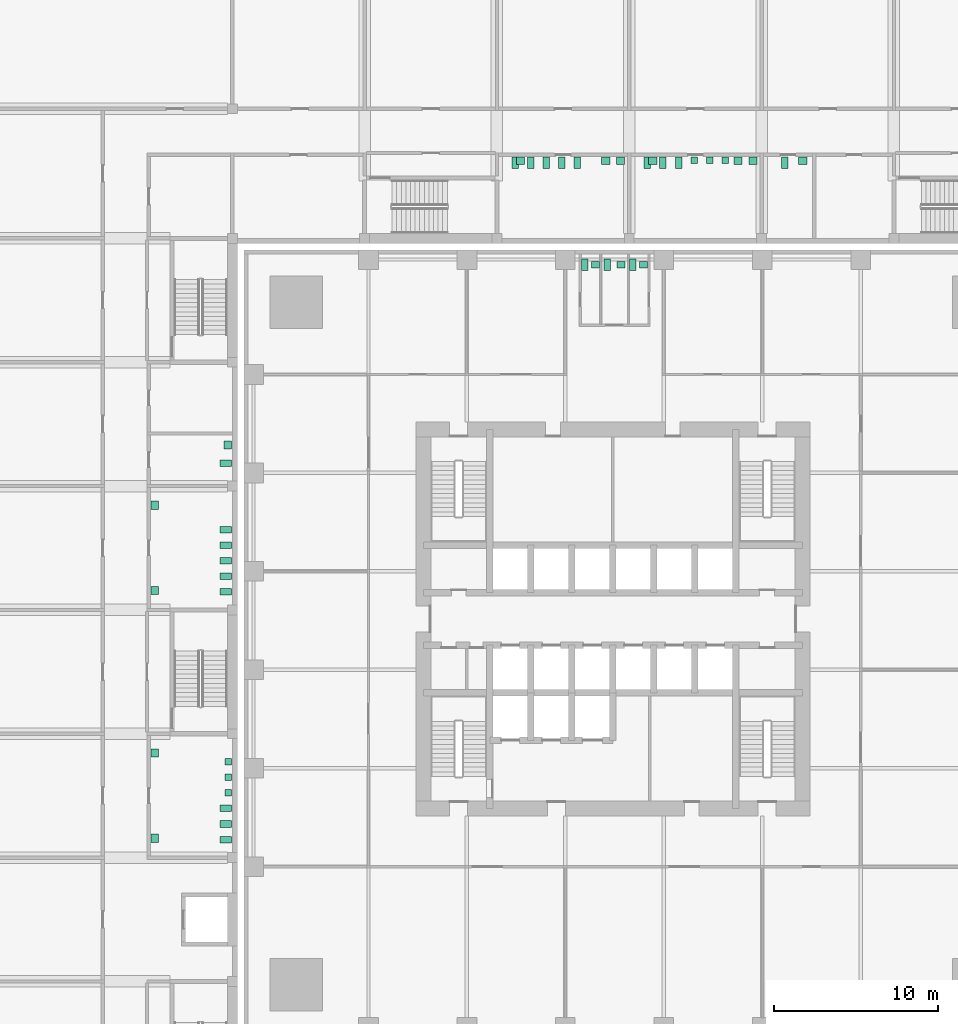
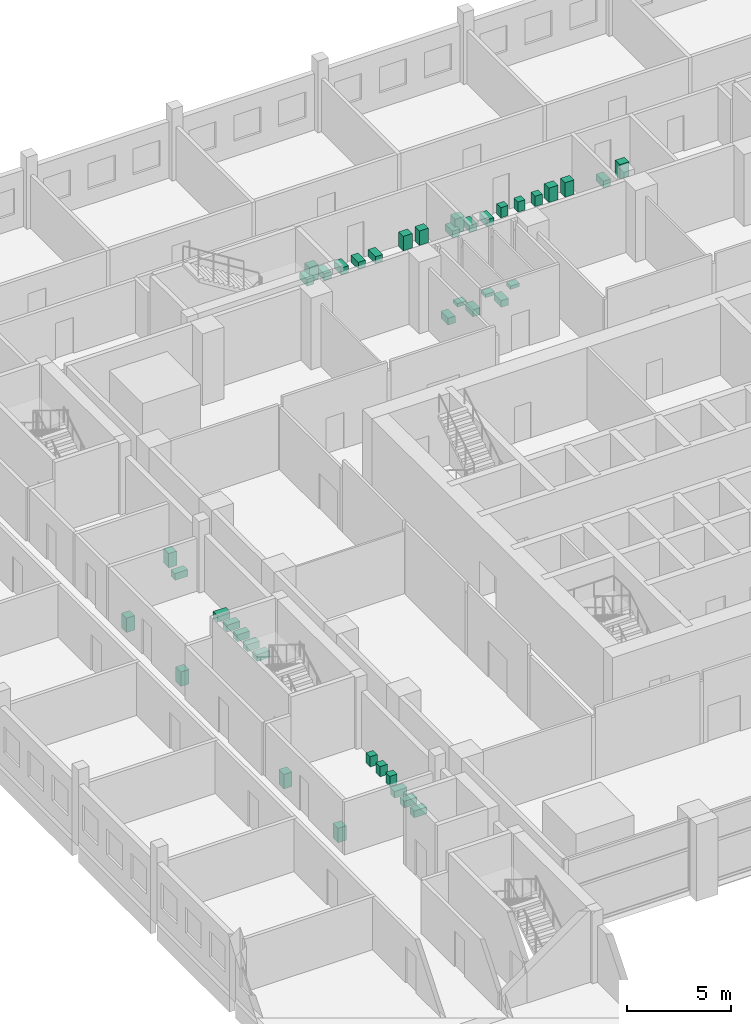
# One storey, part 25 of 25: 42 sanitary terminals.
"""IFC4 building model written with IfcOpenShell, lengths in metres."""

from ifc_helpers import new_model, si_unit, direction, frame, origin, origin_2d, place, context, subcontext, project, spatial, rectangle, extrude, element, save


model = new_model("IFC4")

# Units and contexts
model_context = context("Model", 3, precision=1e-05, world=origin(), true_north=direction((0.0, 1.0)))
body_context = subcontext(model_context, "Body", "Model", "MODEL_VIEW")
ifc_project = project(units=[si_unit("LENGTHUNIT", "METRE"), si_unit("AREAUNIT", "SQUARE_METRE"), si_unit("VOLUMEUNIT", "CUBIC_METRE"), si_unit("PLANEANGLEUNIT", "RADIAN"), si_unit("MASSUNIT", "GRAM", prefix="KILO")], contexts=[model_context])

# Site, building, storey
site_placement = place(None, origin())
site = spatial("IfcSite", under=ifc_project, at=site_placement, CompositionType="ELEMENT")
building_placement = place(site_placement, origin())
building = spatial("IfcBuilding", under=site, at=building_placement, Name="Amberfall Residences", CompositionType="ELEMENT")
storey_placement = place(building_placement, frame((0.0, 0.0, 10.0)))
storey = spatial("IfcBuildingStorey", under=building, at=storey_placement, Name="L02", CompositionType="ELEMENT", Elevation=10.0)

# Sanitary terminals
sanitary_terminal_1_placement = place(storey_placement, frame((72.780029296875, 67.10009765625, 0.0), z_axis=(0.0, 0.0, 1.0), x_axis=(1.0, 0.0, 0.0)))
element("IfcSanitaryTerminal", 1, at=sanitary_terminal_1_placement, inside=storey, Name="WC pan Gents WC L02", PredefinedType="TOILETPAN", context=body_context, shape_type="SweptSolid", body=[
    extrude(rectangle(XDim=0.39990234375, YDim=0.699951171875, at=origin_2d()), origin(), (0.0, 0.0, 1.0), 0.39990234375),
])
sanitary_terminal_2_placement = place(storey_placement, frame((73.429931640625, 67.10009765625, 0.75), z_axis=(0.0, 0.0, 1.0), x_axis=(1.0, 0.0, 0.0)))
element("IfcSanitaryTerminal", 2, at=sanitary_terminal_2_placement, inside=storey, Name="Wash basin Gents WC L02", PredefinedType="WASHHANDBASIN", context=body_context, shape_type="SweptSolid", body=[
    extrude(rectangle(XDim=0.5, YDim=0.39990234375, at=origin_2d()), origin(), (0.0, 0.0, 1.0), 0.199951171875),
])
sanitary_terminal_3_placement = place(storey_placement, frame((74.14501953125, 67.10009765625, 0.0), z_axis=(0.0, 0.0, 1.0), x_axis=(1.0, 0.0, 0.0)))
element("IfcSanitaryTerminal", 3, at=sanitary_terminal_3_placement, inside=storey, Name="WC pan Accessible WC L02", PredefinedType="TOILETPAN", context=body_context, shape_type="SweptSolid", body=[
    extrude(rectangle(XDim=0.39990234375, YDim=0.699951171875, at=origin_2d()), origin(), (0.0, 0.0, 1.0), 0.39990234375),
])
sanitary_terminal_4_placement = place(storey_placement, frame((74.989990234375, 67.10009765625, 0.75), z_axis=(0.0, 0.0, 1.0), x_axis=(1.0, 0.0, 0.0)))
element("IfcSanitaryTerminal", 4, at=sanitary_terminal_4_placement, inside=storey, Name="Wash basin Accessible WC L02", PredefinedType="WASHHANDBASIN", context=body_context, shape_type="SweptSolid", body=[
    extrude(rectangle(XDim=0.5, YDim=0.39990234375, at=origin_2d()), origin(), (0.0, 0.0, 1.0), 0.199951171875),
])
sanitary_terminal_5_placement = place(storey_placement, frame((75.719970703125, 67.10009765625, 0.0), z_axis=(0.0, 0.0, 1.0), x_axis=(1.0, 0.0, 0.0)))
element("IfcSanitaryTerminal", 5, at=sanitary_terminal_5_placement, inside=storey, Name="WC pan Ladies WC L02", PredefinedType="TOILETPAN", context=body_context, shape_type="SweptSolid", body=[
    extrude(rectangle(XDim=0.39990234375, YDim=0.699951171875, at=origin_2d()), origin(), (0.0, 0.0, 1.0), 0.39990234375),
])
sanitary_terminal_6_placement = place(storey_placement, frame((76.3701171875, 67.10009765625, 0.75), z_axis=(0.0, 0.0, 1.0), x_axis=(1.0, 0.0, 0.0)))
element("IfcSanitaryTerminal", 6, at=sanitary_terminal_6_placement, inside=storey, Name="Wash basin Ladies WC L02", PredefinedType="WASHHANDBASIN", context=body_context, shape_type="SweptSolid", body=[
    extrude(rectangle(XDim=0.5, YDim=0.39990234375, at=origin_2d()), origin(), (0.0, 0.0, 1.0), 0.199951171875),
])
for number, where, z_axis, x_axis, name in (
    (7, (50.89990234375, 32.050048828125, 0.0), (0.0, 0.0, 1.0), (1.0, 0.0, 0.0), "Water closet"),
    (8, (50.89990234375, 33.0, 0.0), (0.0, 0.0, 1.0), (1.0, 0.0, 0.0), "Water closet"),
    (9, (50.89990234375, 33.949951171875, 0.0), (0.0, 0.0, 1.0), (1.0, 0.0, 0.0), "Water closet"),
):
    element("IfcSanitaryTerminal", number, at=place(storey_placement, frame(where, z_axis=z_axis, x_axis=x_axis)), inside=storey, Name=name, PredefinedType="TOILETPAN", context=body_context, shape_type="SweptSolid", body=[
        extrude(rectangle(XDim=0.699951171875, YDim=0.39990234375, at=origin_2d()), origin(), (0.0, 0.0, 1.0), 0.39990234375),
    ])
for number, where, z_axis, x_axis, name in (
    (10, (51.050048828125, 34.89990234375, 0.0), (0.0, 0.0, 1.0), (1.0, 0.0, 0.0), "Urinal"),
    (11, (51.050048828125, 35.85009765625, 0.0), (0.0, 0.0, 1.0), (1.0, 0.0, 0.0), "Urinal"),
    (12, (51.050048828125, 36.800048828125, 0.0), (0.0, 0.0, 1.0), (1.0, 0.0, 0.0), "Urinal"),
):
    element("IfcSanitaryTerminal", number, at=place(storey_placement, frame(where, z_axis=z_axis, x_axis=x_axis)), inside=storey, Name=name, PredefinedType="URINAL", context=body_context, shape_type="SweptSolid", body=[
        extrude(rectangle(XDim=0.39990234375, YDim=0.39990234375, at=origin_2d()), origin(), (0.0, 0.0, 1.0), 0.60009765625),
    ])
for number, where, z_axis, x_axis, name in (
    (13, (46.574951171875, 32.125, 0.0), (0.0, 0.0, 1.0), (1.0, 0.0, 0.0), "Basin"),
    (14, (46.574951171875, 37.324951171875, 0.0), (0.0, 0.0, 1.0), (1.0, 0.0, 0.0), "Basin"),
):
    element("IfcSanitaryTerminal", number, at=place(storey_placement, frame(where, z_axis=z_axis, x_axis=x_axis)), inside=storey, Name=name, PredefinedType="WASHHANDBASIN", context=body_context, shape_type="SweptSolid", body=[
        extrude(rectangle(XDim=0.449951171875, YDim=0.5, at=origin_2d()), origin(), (0.0, 0.0, 1.0), 0.85009765625),
    ])
for number, where, z_axis, x_axis, name in (
    (15, (50.89990234375, 47.14990234375, 0.0), (0.0, 0.0, 1.0), (1.0, 0.0, 0.0), "Water closet"),
    (16, (50.89990234375, 48.10009765625, 0.0), (0.0, 0.0, 1.0), (1.0, 0.0, 0.0), "Water closet"),
    (17, (50.89990234375, 49.050048828125, 0.0), (0.0, 0.0, 1.0), (1.0, 0.0, 0.0), "Water closet"),
    (18, (50.89990234375, 50.0, 0.0), (0.0, 0.0, 1.0), (1.0, 0.0, 0.0), "Water closet"),
    (19, (50.89990234375, 50.949951171875, 0.0), (0.0, 0.0, 1.0), (1.0, 0.0, 0.0), "Water closet"),
):
    element("IfcSanitaryTerminal", number, at=place(storey_placement, frame(where, z_axis=z_axis, x_axis=x_axis)), inside=storey, Name=name, PredefinedType="TOILETPAN", context=body_context, shape_type="SweptSolid", body=[
        extrude(rectangle(XDim=0.699951171875, YDim=0.39990234375, at=origin_2d()), origin(), (0.0, 0.0, 1.0), 0.39990234375),
    ])
for number, where, z_axis, x_axis, name in (
    (20, (46.574951171875, 47.22509765625, 0.0), (0.0, 0.0, 1.0), (1.0, 0.0, 0.0), "Basin"),
    (21, (46.574951171875, 52.425048828125, 0.0), (0.0, 0.0, 1.0), (1.0, 0.0, 0.0), "Basin"),
):
    element("IfcSanitaryTerminal", number, at=place(storey_placement, frame(where, z_axis=z_axis, x_axis=x_axis)), inside=storey, Name=name, PredefinedType="WASHHANDBASIN", context=body_context, shape_type="SweptSolid", body=[
        extrude(rectangle(XDim=0.449951171875, YDim=0.5, at=origin_2d()), origin(), (0.0, 0.0, 1.0), 0.85009765625),
    ])
sanitary_terminal_7_placement = place(storey_placement, frame((50.89990234375, 55.0, 0.0), z_axis=(0.0, 0.0, 1.0), x_axis=(1.0, 0.0, 0.0)))
element("IfcSanitaryTerminal", 22, at=sanitary_terminal_7_placement, inside=storey, Name="Water closet", PredefinedType="TOILETPAN", context=body_context, shape_type="SweptSolid", body=[
    extrude(rectangle(XDim=0.699951171875, YDim=0.39990234375, at=origin_2d()), origin(), (0.0, 0.0, 1.0), 0.39990234375),
])
sanitary_terminal_8_placement = place(storey_placement, frame((51.02490234375, 56.10009765625, 0.0), z_axis=(0.0, 0.0, 1.0), x_axis=(1.0, 0.0, 0.0)))
element("IfcSanitaryTerminal", 23, at=sanitary_terminal_8_placement, inside=storey, Name="Basin", PredefinedType="WASHHANDBASIN", context=body_context, shape_type="SweptSolid", body=[
    extrude(rectangle(XDim=0.449951171875, YDim=0.5, at=origin_2d()), origin(), (0.0, 0.0, 1.0), 0.85009765625),
])
for number, where, z_axis, x_axis, name in (
    (24, (68.532958984375, 73.300048828125, 0.0), (0.0, 0.0, 1.0), (1.0, 0.0, 0.0), "Water closet"),
    (25, (69.48291015625, 73.300048828125, 0.0), (0.0, 0.0, 1.0), (1.0, 0.0, 0.0), "Water closet"),
    (26, (70.43310546875, 73.300048828125, 0.0), (0.0, 0.0, 1.0), (1.0, 0.0, 0.0), "Water closet"),
    (27, (71.383056640625, 73.300048828125, 0.0), (0.0, 0.0, 1.0), (1.0, 0.0, 0.0), "Water closet"),
    (28, (72.3330078125, 73.300048828125, 0.0), (0.0, 0.0, 1.0), (1.0, 0.0, 0.0), "Water closet"),
):
    element("IfcSanitaryTerminal", number, at=place(storey_placement, frame(where, z_axis=z_axis, x_axis=x_axis)), inside=storey, Name=name, PredefinedType="TOILETPAN", context=body_context, shape_type="SweptSolid", body=[
        extrude(rectangle(XDim=0.39990234375, YDim=0.699951171875, at=origin_2d()), origin(), (0.0, 0.0, 1.0), 0.39990234375),
    ])
for number, where, z_axis, x_axis, name in (
    (29, (68.866455078125, 73.425048828125, 0.0), (0.0, 0.0, 1.0), (1.0, 0.0, 0.0), "Basin"),
    (30, (74.06640625, 73.425048828125, 0.0), (0.0, 0.0, 1.0), (1.0, 0.0, 0.0), "Basin"),
    (31, (74.966552734375, 73.425048828125, 0.0), (0.0, 0.0, 1.0), (1.0, 0.0, 0.0), "Basin"),
):
    element("IfcSanitaryTerminal", number, at=place(storey_placement, frame(where, z_axis=z_axis, x_axis=x_axis)), inside=storey, Name=name, PredefinedType="WASHHANDBASIN", context=body_context, shape_type="SweptSolid", body=[
        extrude(rectangle(XDim=0.5, YDim=0.449951171875, at=origin_2d()), origin(), (0.0, 0.0, 1.0), 0.85009765625),
    ])
for number, where, z_axis, x_axis, name in (
    (32, (76.60009765625, 73.300048828125, 0.0), (0.0, 0.0, 1.0), (1.0, 0.0, 0.0), "Water closet"),
    (33, (77.550048828125, 73.300048828125, 0.0), (0.0, 0.0, 1.0), (1.0, 0.0, 0.0), "Water closet"),
    (34, (78.5, 73.300048828125, 0.0), (0.0, 0.0, 1.0), (1.0, 0.0, 0.0), "Water closet"),
):
    element("IfcSanitaryTerminal", number, at=place(storey_placement, frame(where, z_axis=z_axis, x_axis=x_axis)), inside=storey, Name=name, PredefinedType="TOILETPAN", context=body_context, shape_type="SweptSolid", body=[
        extrude(rectangle(XDim=0.39990234375, YDim=0.699951171875, at=origin_2d()), origin(), (0.0, 0.0, 1.0), 0.39990234375),
    ])
for number, where, z_axis, x_axis, name in (
    (35, (79.449951171875, 73.449951171875, 0.0), (0.0, 0.0, 1.0), (1.0, 0.0, 0.0), "Urinal"),
    (36, (80.39990234375, 73.449951171875, 0.0), (0.0, 0.0, 1.0), (1.0, 0.0, 0.0), "Urinal"),
    (37, (81.35009765625, 73.449951171875, 0.0), (0.0, 0.0, 1.0), (1.0, 0.0, 0.0), "Urinal"),
):
    element("IfcSanitaryTerminal", number, at=place(storey_placement, frame(where, z_axis=z_axis, x_axis=x_axis)), inside=storey, Name=name, PredefinedType="URINAL", context=body_context, shape_type="SweptSolid", body=[
        extrude(rectangle(XDim=0.39990234375, YDim=0.39990234375, at=origin_2d()), origin(), (0.0, 0.0, 1.0), 0.60009765625),
    ])
for number, where, z_axis, x_axis, name in (
    (38, (76.93359375, 73.425048828125, 0.0), (0.0, 0.0, 1.0), (1.0, 0.0, 0.0), "Basin"),
    (39, (82.133544921875, 73.425048828125, 0.0), (0.0, 0.0, 1.0), (1.0, 0.0, 0.0), "Basin"),
    (40, (83.033447265625, 73.425048828125, 0.0), (0.0, 0.0, 1.0), (1.0, 0.0, 0.0), "Basin"),
):
    element("IfcSanitaryTerminal", number, at=place(storey_placement, frame(where, z_axis=z_axis, x_axis=x_axis)), inside=storey, Name=name, PredefinedType="WASHHANDBASIN", context=body_context, shape_type="SweptSolid", body=[
        extrude(rectangle(XDim=0.5, YDim=0.449951171875, at=origin_2d()), origin(), (0.0, 0.0, 1.0), 0.85009765625),
    ])
sanitary_terminal_9_placement = place(storey_placement, frame((84.967041015625, 73.300048828125, 0.0), z_axis=(0.0, 0.0, 1.0), x_axis=(1.0, 0.0, 0.0)))
element("IfcSanitaryTerminal", 41, at=sanitary_terminal_9_placement, inside=storey, Name="Water closet", PredefinedType="TOILETPAN", context=body_context, shape_type="SweptSolid", body=[
    extrude(rectangle(XDim=0.39990234375, YDim=0.699951171875, at=origin_2d()), origin(), (0.0, 0.0, 1.0), 0.39990234375),
])
sanitary_terminal_10_placement = place(storey_placement, frame((86.06689453125, 73.425048828125, 0.0), z_axis=(0.0, 0.0, 1.0), x_axis=(1.0, 0.0, 0.0)))
element("IfcSanitaryTerminal", 42, at=sanitary_terminal_10_placement, inside=storey, Name="Basin", PredefinedType="WASHHANDBASIN", context=body_context, shape_type="SweptSolid", body=[
    extrude(rectangle(XDim=0.5, YDim=0.449951171875, at=origin_2d()), origin(), (0.0, 0.0, 1.0), 0.85009765625),
])

save(model, "model.ifc")
